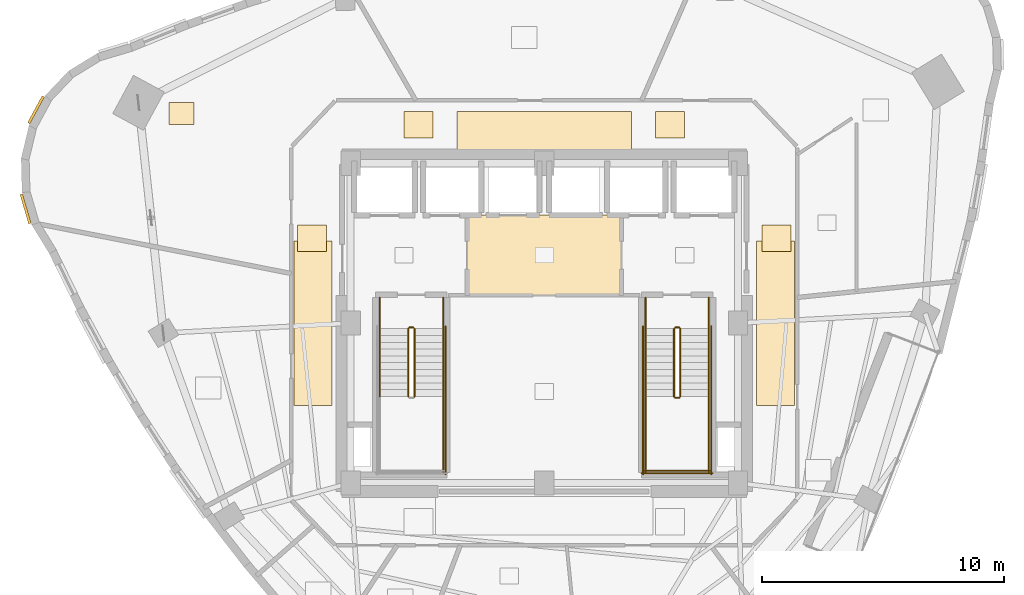
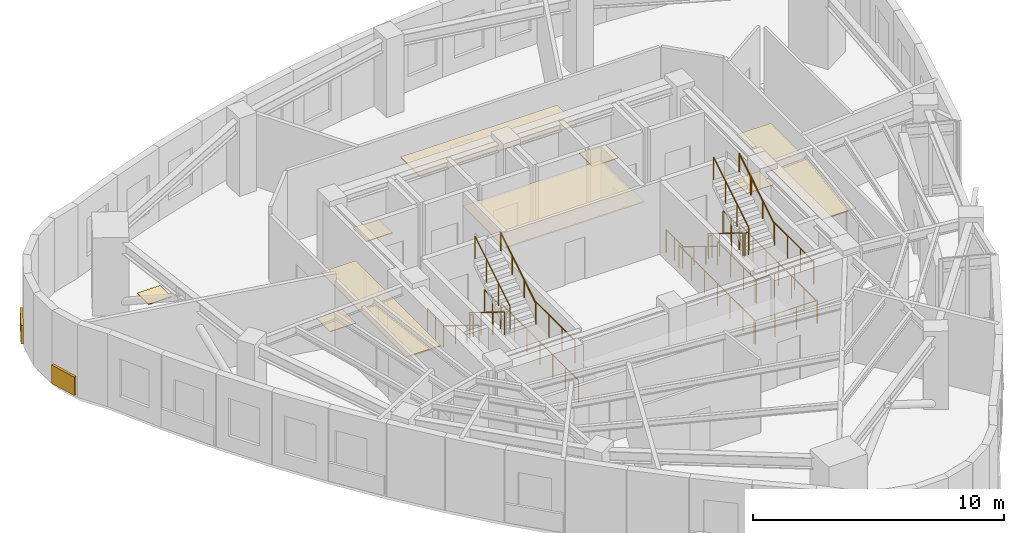
# One storey, part 9 of 10: 23 railings, 11 coverings.
"""IFC4 building model written with IfcOpenShell, lengths in metres."""

from ifc_helpers import new_model, si_unit, direction, frame, origin, origin_2d, place, context, subcontext, project, spatial, rectangle, circle, extrude, material, layer, layer_set, type_object, element, save


model = new_model("IFC4")

# Units and contexts
model_context = context("Model", 3, precision=1e-05, world=origin(), true_north=direction((0.0, 1.0)))
body_context = subcontext(model_context, "Body", "Model", "MODEL_VIEW")
ifc_project = project(units=[si_unit("LENGTHUNIT", "METRE"), si_unit("AREAUNIT", "SQUARE_METRE"), si_unit("VOLUMEUNIT", "CUBIC_METRE"), si_unit("PLANEANGLEUNIT", "RADIAN"), si_unit("MASSUNIT", "GRAM", prefix="KILO")], contexts=[model_context])

# Site, building, storey
site_placement = place(None, origin())
site = spatial("IfcSite", under=ifc_project, at=site_placement, CompositionType="ELEMENT")
building_placement = place(site_placement, origin())
building = spatial("IfcBuilding", under=site, at=building_placement, Name="Ndelora Gate Hotel", CompositionType="ELEMENT")
storey_placement = place(building_placement, frame((0.0, 0.0, 243.550048828125)))
storey = spatial("IfcBuildingStorey", under=building, at=storey_placement, Name="L61", CompositionType="ELEMENT", Elevation=243.550048828125)

# Coverings
ifc_material_1 = material(Name="Perforated Acoustic Gypsum Board", Category="gypsum")
ifc_layer_1 = layer(ifc_material_1, 0.054931640625)
ifc_layer_set_1 = layer_set([ifc_layer_1], Name="Perforated Acoustic Gypsum Board")
covering_type_1 = type_object("IfcCoveringType", Name="COV-CEIL-AC60", PredefinedType="CEILING", material=ifc_layer_set_1)
covering_1_placement = place(storey_placement, frame((0.0, 2.800048828125, 2.72265625), z_axis=(0.0, 0.0, 1.0), x_axis=(1.0, 0.0, 0.0)))
element("IfcCovering", 1, at=covering_1_placement, inside=storey, type_object=covering_type_1, Name="L61 Lift Lobby Acoustic Ceiling", PredefinedType="CEILING", context=body_context, shape_type="SweptSolid", body=[
    extrude(rectangle(XDim=6.39990234375, YDim=3.340087890625, at=origin_2d()), origin(), (0.0, 0.0, 1.0), 0.054931640625),
])
covering_2_placement = place(storey_placement, frame((0.0, 7.9599609375, 2.65234375), z_axis=(0.0, 0.0, 1.0), x_axis=(1.0, 0.0, 0.0)))
element("IfcCovering", 2, at=covering_2_placement, inside=storey, type_object=covering_type_1, Name="L61 Guest Corridor Acoustic Ceiling N", PredefinedType="CEILING", context=body_context, shape_type="SweptSolid", body=[
    extrude(rectangle(XDim=7.199951171875, YDim=1.580078125, at=origin_2d()), origin(), (0.0, 0.0, 1.0), 0.054931640625),
])
for number, where, z_axis, x_axis, name in (
    (3, (-9.550048828125, 0.0, 2.65234375), (0.0, 0.0, 1.0), (1.0, 0.0, 0.0), "L61 Guest Corridor Acoustic Ceiling W"),
    (4, (9.550048828125, 0.0, 2.65234375), (0.0, 0.0, 1.0), (1.0, 0.0, 0.0), "L61 Guest Corridor Acoustic Ceiling E"),
):
    element("IfcCovering", number, at=place(storey_placement, frame(where, z_axis=z_axis, x_axis=x_axis)), inside=storey, type_object=covering_type_1, Name=name, PredefinedType="CEILING", context=body_context, shape_type="SweptSolid", body=[
        extrude(rectangle(XDim=1.580078125, YDim=6.800048828125, at=origin_2d()), origin(), (0.0, 0.0, 1.0), 0.054931640625),
    ])
ifc_material_2 = material(Name="Terracotta Fired Clay Brick Slip Cladding", Category="masonry")
ifc_layer_2 = layer(ifc_material_2, 0.110107421875)
ifc_layer_set_2 = layer_set([ifc_layer_2], Name="Terracotta Fired Clay Brick Slip Cladding")
covering_type_2 = type_object("IfcCoveringType", Name="COV-CLAD-BRK", PredefinedType="CLADDING", material=ifc_layer_set_2)
covering_3_placement = place(storey_placement, frame((-20.993408203125, 8.81005859375, 0.10009765625), z_axis=(0.0, 0.0, 1.0), x_axis=(0.47715876026, 0.878817112662, 0.0)))
element("IfcCovering", 5, at=covering_3_placement, inside=storey, type_object=covering_type_2, Name="L61 Rounded-Corner Brick Cladding Band 4", PredefinedType="CLADDING", context=body_context, shape_type="SweptSolid", body=[
    extrude(rectangle(XDim=1.257080078125, YDim=0.110107421875, at=origin_2d()), origin(), (0.0, 0.0, 1.0), 0.89990234375),
])
covering_4_placement = place(storey_placement, frame((-21.42333984375, 4.719482421875, 0.10009765625), z_axis=(0.0, 0.0, 1.0), x_axis=(-0.284015344704, 0.958819734868, 0.0)))
element("IfcCovering", 6, at=covering_4_placement, inside=storey, type_object=covering_type_2, Name="L61 Rounded-Corner Brick Cladding Band 7", PredefinedType="CLADDING", context=body_context, shape_type="SweptSolid", body=[
    extrude(rectangle(XDim=1.258056640625, YDim=0.110107421875, at=origin_2d()), origin(), (0.0, 0.0, 1.0), 0.89990234375),
])
ifc_material_3 = material(Name="Engineered Highland Oak Parquet", Category="wood")
ifc_layer_3 = layer(ifc_material_3, 0.030029296875)
ifc_layer_set_3 = layer_set([ifc_layer_3], Name="Engineered Highland Oak Parquet")
covering_type_3 = type_object("IfcCoveringType", Name="COV-FLR-PARQ", PredefinedType="FLOORING", material=ifc_layer_set_3)
covering_5_placement = place(storey_placement, frame((-14.984375, 8.6611328125, 0.0), z_axis=(0.0, 0.0, 1.0), x_axis=(1.0, 0.0, 0.0)))
element("IfcCovering", 7, at=covering_5_placement, inside=storey, type_object=covering_type_3, Name="L61 State Banquet Dining Room Oak Parquet Flooring", PredefinedType="FLOORING", context=body_context, shape_type="SweptSolid", body=[
    extrude(rectangle(XDim=1.050048828125, YDim=0.89990234375, at=origin_2d()), origin(), (0.0, 0.0, 1.0), 0.030029296875),
])
ifc_material_4 = material(Name="Polished Highland Stone Terrazzo", Category="masonry")
ifc_layer_4 = layer(ifc_material_4, 0.034912109375)
ifc_layer_set_4 = layer_set([ifc_layer_4], Name="Polished Highland Stone Terrazzo")
covering_type_4 = type_object("IfcCoveringType", Name="COV-FLR-TERZ", PredefinedType="FLOORING", material=ifc_layer_set_4)
for number, where, z_axis, x_axis, name in (
    (8, (-5.199951171875, 8.199951171875, 0.0), (0.0, 0.0, 1.0), (1.0, 0.0, 0.0), "L61 Corridor Threshold Terrazzo Inlay NW"),
    (9, (5.199951171875, 8.199951171875, 0.0), (0.0, 0.0, 1.0), (1.0, 0.0, 0.0), "L61 Corridor Threshold Terrazzo Inlay NE"),
    (10, (-9.60009765625, 3.5, 0.0), (0.0, 0.0, 1.0), (1.0, 0.0, 0.0), "L61 Corridor Threshold Terrazzo Inlay W"),
    (11, (9.60009765625, 3.5, 0.0), (0.0, 0.0, 1.0), (1.0, 0.0, 0.0), "L61 Corridor Threshold Terrazzo Inlay E"),
):
    element("IfcCovering", number, at=place(storey_placement, frame(where, z_axis=z_axis, x_axis=x_axis)), inside=storey, type_object=covering_type_4, Name=name, PredefinedType="FLOORING", context=body_context, shape_type="SweptSolid", body=[
        extrude(rectangle(XDim=1.199951171875, YDim=1.10009765625, at=origin_2d()), origin(), (0.0, 0.0, 1.0), 0.034912109375),
    ])

# Railings
ifc_material_5 = material(Name="Painted Galvanized Steel Balustrade", Category="steel")
ifc_layer_5 = layer(ifc_material_5, 0.06005859375)
ifc_layer_set_5 = layer_set([ifc_layer_5], Name="Painted Galvanized Steel Balustrade")
railing_type_1 = type_object("IfcRailingType", Name="RL-STAIR-GD", PredefinedType="GUARDRAIL", material=ifc_layer_set_5)
railing_1_placement = place(storey_placement, frame((-5.6201171875, -0.22998046875, 0.172607421875)))
element("IfcRailing", 12, at=railing_1_placement, inside=storey, type_object=railing_type_1, Name="L61 ST4 stair guard 1", PredefinedType="GUARDRAIL", context=body_context, shape_type="SweptSolid", body=[
    extrude(circle(Radius=0.02392578125, at=origin_2d()), frame((0.0, 0.0, 1.10595703125), z_axis=(0.0, -0.851089632645, 0.525020415988), x_axis=(1.0, 0.0, 0.0)), (0.0, 0.0, 1.0), 3.2900390625),
    extrude(circle(Radius=0.02099609375, at=origin_2d()), origin(), (0.0, 0.0, 1.0), 1.081787109375),
    extrude(circle(Radius=0.02099609375, at=origin_2d()), frame((0.0, -0.933349609375, 0.57568359375)), (0.0, 0.0, 1.0), 1.081787109375),
    extrude(circle(Radius=0.02099609375, at=origin_2d()), frame((0.0, -1.86669921875, 1.151611328125)), (0.0, 0.0, 1.0), 1.081787109375),
    extrude(circle(Radius=0.02099609375, at=origin_2d()), frame((0.0, -2.800048828125, 1.727294921875)), (0.0, 0.0, 1.0), 1.081787109375),
])
railing_2_placement = place(storey_placement, frame((-4.179931640625, -3.030029296875, 1.89990234375)))
element("IfcRailing", 13, at=railing_2_placement, inside=storey, type_object=railing_type_1, Name="L61 ST4 stair guard 4", PredefinedType="GUARDRAIL", context=body_context, shape_type="SweptSolid", body=[
    extrude(circle(Radius=0.02392578125, at=origin_2d()), frame((0.0, 0.0, 1.10595703125), z_axis=(0.0, -1.0, 0.0), x_axis=(1.0, 0.0, 0.0)), (0.0, 0.0, 1.0), 3.119873046875),
    extrude(circle(Radius=0.02099609375, at=origin_2d()), origin(), (0.0, 0.0, 1.0), 1.081787109375),
    extrude(circle(Radius=0.02099609375, at=origin_2d()), frame((0.0, -1.0400390625, 0.0)), (0.0, 0.0, 1.0), 1.081787109375),
    extrude(circle(Radius=0.02099609375, at=origin_2d()), frame((0.0, -2.079833984375, 0.0)), (0.0, 0.0, 1.0), 1.081787109375),
    extrude(circle(Radius=0.02099609375, at=origin_2d()), frame((0.0, -3.119873046875, 0.0)), (0.0, 0.0, 1.0), 1.081787109375),
])
railing_3_placement = place(storey_placement, frame((-5.360107421875, -3.030029296875, 2.07275390625)))
element("IfcRailing", 14, at=railing_3_placement, inside=storey, type_object=railing_type_1, Name="L61 ST4 stair guard 6", PredefinedType="GUARDRAIL", context=body_context, shape_type="SweptSolid", body=[
    extrude(circle(Radius=0.02392578125, at=origin_2d()), frame((0.0, 0.0, 1.10595703125), z_axis=(0.0, 0.851089632645, 0.525020415988), x_axis=(-1.0, 0.0, 0.0)), (0.0, 0.0, 1.0), 3.2900390625),
    extrude(circle(Radius=0.02099609375, at=origin_2d()), origin(), (0.0, 0.0, 1.0), 1.081787109375),
    extrude(circle(Radius=0.02099609375, at=origin_2d()), frame((0.0, 0.933349609375, 0.57568359375)), (0.0, 0.0, 1.0), 1.081787109375),
    extrude(circle(Radius=0.02099609375, at=origin_2d()), frame((0.0, 1.86669921875, 1.151611328125)), (0.0, 0.0, 1.0), 1.081787109375),
    extrude(circle(Radius=0.02099609375, at=origin_2d()), frame((0.0, 2.800048828125, 1.727294921875)), (0.0, 0.0, 1.0), 1.081787109375),
])
railing_4_placement = place(storey_placement, frame((-5.570068359375, -0.179931640625, 0.0)))
element("IfcRailing", 15, at=railing_4_placement, inside=storey, type_object=railing_type_1, Name="L61 ST4 stair guard 7", PredefinedType="GUARDRAIL", context=body_context, shape_type="SweptSolid", body=[
    extrude(circle(Radius=0.02392578125, at=origin_2d()), frame((0.0, 0.0, 1.10595703125), z_axis=(1.0, 0.0, 0.0), x_axis=(0.0, 1.0, 0.0)), (0.0, 0.0, 1.0), 0.16015625),
    extrude(circle(Radius=0.02099609375, at=origin_2d()), origin(), (0.0, 0.0, 1.0), 1.081787109375),
    extrude(circle(Radius=0.02099609375, at=origin_2d()), frame((0.16015625, 0.0, 0.0)), (0.0, 0.0, 1.0), 1.081787109375),
])
for number, where, name in (
    (16, (-6.800048828125, 1.050048828125, 0.0), "L61 ST4 stair guard 8"),
    (17, (-4.179931640625, 1.050048828125, 0.0), "L61 ST4 stair guard 9"),
):
    element("IfcRailing", number, at=place(storey_placement, frame(where)), inside=storey, type_object=railing_type_1, Name=name, PredefinedType="GUARDRAIL", context=body_context, shape_type="SweptSolid", body=[
        extrude(circle(Radius=0.02392578125, at=origin_2d()), frame((0.0, 0.0, 1.10595703125), z_axis=(0.0, -1.0, 0.0), x_axis=(1.0, 0.0, 0.0)), (0.0, 0.0, 1.0), 1.280029296875),
        extrude(circle(Radius=0.02099609375, at=origin_2d()), origin(), (0.0, 0.0, 1.0), 1.081787109375),
        extrude(circle(Radius=0.02099609375, at=origin_2d()), frame((0.0, -0.64013671875, 0.0)), (0.0, 0.0, 1.0), 1.081787109375),
        extrude(circle(Radius=0.02099609375, at=origin_2d()), frame((0.0, -1.280029296875, 0.0)), (0.0, 0.0, 1.0), 1.081787109375),
    ])
railing_5_placement = place(storey_placement, frame((-4.080078125, -0.1298828125, 0.0)))
element("IfcRailing", 18, at=railing_5_placement, inside=storey, type_object=railing_type_1, Name="L61 ST4 stair guard 11", PredefinedType="GUARDRAIL", context=body_context, shape_type="SweptSolid", body=[
    extrude(circle(Radius=0.02392578125, at=origin_2d()), frame((0.0, 0.0, 1.10595703125), z_axis=(0.0, -1.0, 0.0), x_axis=(1.0, 0.0, 0.0)), (0.0, 0.0, 1.0), 6.1201171875),
    extrude(circle(Radius=0.02099609375, at=origin_2d()), origin(), (0.0, 0.0, 1.0), 1.081787109375),
    extrude(circle(Radius=0.02099609375, at=origin_2d()), frame((0.0, -1.02001953125, 0.0)), (0.0, 0.0, 1.0), 1.081787109375),
    extrude(circle(Radius=0.02099609375, at=origin_2d()), frame((0.0, -2.0400390625, 0.0)), (0.0, 0.0, 1.0), 1.081787109375),
    extrude(circle(Radius=0.02099609375, at=origin_2d()), frame((0.0, -3.06005859375, 0.0)), (0.0, 0.0, 1.0), 1.081787109375),
    extrude(circle(Radius=0.02099609375, at=origin_2d()), frame((0.0, -4.080078125, 0.0)), (0.0, 0.0, 1.0), 1.081787109375),
    extrude(circle(Radius=0.02099609375, at=origin_2d()), frame((0.0, -5.10009765625, 0.0)), (0.0, 0.0, 1.0), 1.081787109375),
    extrude(circle(Radius=0.02099609375, at=origin_2d()), frame((0.0, -6.1201171875, 0.0)), (0.0, 0.0, 1.0), 1.081787109375),
])
railing_6_placement = place(storey_placement, frame((5.360107421875, -0.22998046875, 0.172607421875)))
element("IfcRailing", 19, at=railing_6_placement, inside=storey, type_object=railing_type_1, Name="L61 ST5 stair guard 1", PredefinedType="GUARDRAIL", context=body_context, shape_type="SweptSolid", body=[
    extrude(circle(Radius=0.02392578125, at=origin_2d()), frame((0.0, 0.0, 1.10595703125), z_axis=(0.0, -0.851089632645, 0.525020415988), x_axis=(1.0, 0.0, 0.0)), (0.0, 0.0, 1.0), 3.2900390625),
    extrude(circle(Radius=0.02099609375, at=origin_2d()), origin(), (0.0, 0.0, 1.0), 1.081787109375),
    extrude(circle(Radius=0.02099609375, at=origin_2d()), frame((0.0, -0.933349609375, 0.57568359375)), (0.0, 0.0, 1.0), 1.081787109375),
    extrude(circle(Radius=0.02099609375, at=origin_2d()), frame((0.0, -1.86669921875, 1.151611328125)), (0.0, 0.0, 1.0), 1.081787109375),
    extrude(circle(Radius=0.02099609375, at=origin_2d()), frame((0.0, -2.800048828125, 1.727294921875)), (0.0, 0.0, 1.0), 1.081787109375),
])
railing_7_placement = place(storey_placement, frame((5.409912109375, -3.080078125, 1.89990234375)))
element("IfcRailing", 20, at=railing_7_placement, inside=storey, type_object=railing_type_1, Name="L61 ST5 stair guard 2", PredefinedType="GUARDRAIL", context=body_context, shape_type="SweptSolid", body=[
    extrude(circle(Radius=0.02392578125, at=origin_2d()), frame((0.0, 0.0, 1.10595703125), z_axis=(1.0, 0.0, 0.0), x_axis=(0.0, 1.0, 0.0)), (0.0, 0.0, 1.0), 0.16015625),
    extrude(circle(Radius=0.02099609375, at=origin_2d()), origin(), (0.0, 0.0, 1.0), 1.081787109375),
    extrude(circle(Radius=0.02099609375, at=origin_2d()), frame((0.16015625, 0.0, 0.0)), (0.0, 0.0, 1.0), 1.081787109375),
])
for number, where, name in (
    (21, (4.179931640625, -3.030029296875, 1.89990234375), "L61 ST5 stair guard 3"),
    (22, (6.800048828125, -3.030029296875, 1.89990234375), "L61 ST5 stair guard 4"),
):
    element("IfcRailing", number, at=place(storey_placement, frame(where)), inside=storey, type_object=railing_type_1, Name=name, PredefinedType="GUARDRAIL", context=body_context, shape_type="SweptSolid", body=[
        extrude(circle(Radius=0.02392578125, at=origin_2d()), frame((0.0, 0.0, 1.10595703125), z_axis=(0.0, -1.0, 0.0), x_axis=(1.0, 0.0, 0.0)), (0.0, 0.0, 1.0), 3.119873046875),
        extrude(circle(Radius=0.02099609375, at=origin_2d()), origin(), (0.0, 0.0, 1.0), 1.081787109375),
        extrude(circle(Radius=0.02099609375, at=origin_2d()), frame((0.0, -1.0400390625, 0.0)), (0.0, 0.0, 1.0), 1.081787109375),
        extrude(circle(Radius=0.02099609375, at=origin_2d()), frame((0.0, -2.079833984375, 0.0)), (0.0, 0.0, 1.0), 1.081787109375),
        extrude(circle(Radius=0.02099609375, at=origin_2d()), frame((0.0, -3.119873046875, 0.0)), (0.0, 0.0, 1.0), 1.081787109375),
    ])
railing_8_placement = place(storey_placement, frame((4.1298828125, -6.10009765625, 1.89990234375)))
element("IfcRailing", 23, at=railing_8_placement, inside=storey, type_object=railing_type_1, Name="L61 ST5 stair guard 5", PredefinedType="GUARDRAIL", context=body_context, shape_type="SweptSolid", body=[
    extrude(circle(Radius=0.02392578125, at=origin_2d()), frame((0.0, 0.0, 1.10595703125), z_axis=(1.0, 0.0, 0.0), x_axis=(0.0, 1.0, 0.0)), (0.0, 0.0, 1.0), 2.72021484375),
    extrude(circle(Radius=0.02099609375, at=origin_2d()), origin(), (0.0, 0.0, 1.0), 1.081787109375),
    extrude(circle(Radius=0.02099609375, at=origin_2d()), frame((0.90673828125, 0.0, 0.0)), (0.0, 0.0, 1.0), 1.081787109375),
    extrude(circle(Radius=0.02099609375, at=origin_2d()), frame((1.8134765625, 0.0, 0.0)), (0.0, 0.0, 1.0), 1.081787109375),
    extrude(circle(Radius=0.02099609375, at=origin_2d()), frame((2.72021484375, 0.0, 0.0)), (0.0, 0.0, 1.0), 1.081787109375),
])
railing_9_placement = place(storey_placement, frame((5.6201171875, -3.030029296875, 2.07275390625)))
element("IfcRailing", 24, at=railing_9_placement, inside=storey, type_object=railing_type_1, Name="L61 ST5 stair guard 6", PredefinedType="GUARDRAIL", context=body_context, shape_type="SweptSolid", body=[
    extrude(circle(Radius=0.02392578125, at=origin_2d()), frame((0.0, 0.0, 1.10595703125), z_axis=(0.0, 0.851089632645, 0.525020415988), x_axis=(-1.0, 0.0, 0.0)), (0.0, 0.0, 1.0), 3.2900390625),
    extrude(circle(Radius=0.02099609375, at=origin_2d()), origin(), (0.0, 0.0, 1.0), 1.081787109375),
    extrude(circle(Radius=0.02099609375, at=origin_2d()), frame((0.0, 0.933349609375, 0.57568359375)), (0.0, 0.0, 1.0), 1.081787109375),
    extrude(circle(Radius=0.02099609375, at=origin_2d()), frame((0.0, 1.86669921875, 1.151611328125)), (0.0, 0.0, 1.0), 1.081787109375),
    extrude(circle(Radius=0.02099609375, at=origin_2d()), frame((0.0, 2.800048828125, 1.727294921875)), (0.0, 0.0, 1.0), 1.081787109375),
])
railing_10_placement = place(storey_placement, frame((5.409912109375, -0.179931640625, 0.0)))
element("IfcRailing", 25, at=railing_10_placement, inside=storey, type_object=railing_type_1, Name="L61 ST5 stair guard 7", PredefinedType="GUARDRAIL", context=body_context, shape_type="SweptSolid", body=[
    extrude(circle(Radius=0.02392578125, at=origin_2d()), frame((0.0, 0.0, 1.10595703125), z_axis=(1.0, 0.0, 0.0), x_axis=(0.0, 1.0, 0.0)), (0.0, 0.0, 1.0), 0.16015625),
    extrude(circle(Radius=0.02099609375, at=origin_2d()), origin(), (0.0, 0.0, 1.0), 1.081787109375),
    extrude(circle(Radius=0.02099609375, at=origin_2d()), frame((0.16015625, 0.0, 0.0)), (0.0, 0.0, 1.0), 1.081787109375),
])
for number, where, name in (
    (26, (4.179931640625, 1.050048828125, 0.0), "L61 ST5 stair guard 8"),
    (27, (6.800048828125, 1.050048828125, 0.0), "L61 ST5 stair guard 9"),
):
    element("IfcRailing", number, at=place(storey_placement, frame(where)), inside=storey, type_object=railing_type_1, Name=name, PredefinedType="GUARDRAIL", context=body_context, shape_type="SweptSolid", body=[
        extrude(circle(Radius=0.02392578125, at=origin_2d()), frame((0.0, 0.0, 1.10595703125), z_axis=(0.0, -1.0, 0.0), x_axis=(1.0, 0.0, 0.0)), (0.0, 0.0, 1.0), 1.280029296875),
        extrude(circle(Radius=0.02099609375, at=origin_2d()), origin(), (0.0, 0.0, 1.0), 1.081787109375),
        extrude(circle(Radius=0.02099609375, at=origin_2d()), frame((0.0, -0.64013671875, 0.0)), (0.0, 0.0, 1.0), 1.081787109375),
        extrude(circle(Radius=0.02099609375, at=origin_2d()), frame((0.0, -1.280029296875, 0.0)), (0.0, 0.0, 1.0), 1.081787109375),
    ])
for number, where, name in (
    (28, (4.080078125, -0.1298828125, 0.0), "L61 ST5 stair guard 10"),
    (29, (6.89990234375, -0.1298828125, 0.0), "L61 ST5 stair guard 11"),
):
    element("IfcRailing", number, at=place(storey_placement, frame(where)), inside=storey, type_object=railing_type_1, Name=name, PredefinedType="GUARDRAIL", context=body_context, shape_type="SweptSolid", body=[
        extrude(circle(Radius=0.02392578125, at=origin_2d()), frame((0.0, 0.0, 1.10595703125), z_axis=(0.0, -1.0, 0.0), x_axis=(1.0, 0.0, 0.0)), (0.0, 0.0, 1.0), 6.1201171875),
        extrude(circle(Radius=0.02099609375, at=origin_2d()), origin(), (0.0, 0.0, 1.0), 1.081787109375),
        extrude(circle(Radius=0.02099609375, at=origin_2d()), frame((0.0, -1.02001953125, 0.0)), (0.0, 0.0, 1.0), 1.081787109375),
        extrude(circle(Radius=0.02099609375, at=origin_2d()), frame((0.0, -2.0400390625, 0.0)), (0.0, 0.0, 1.0), 1.081787109375),
        extrude(circle(Radius=0.02099609375, at=origin_2d()), frame((0.0, -3.06005859375, 0.0)), (0.0, 0.0, 1.0), 1.081787109375),
        extrude(circle(Radius=0.02099609375, at=origin_2d()), frame((0.0, -4.080078125, 0.0)), (0.0, 0.0, 1.0), 1.081787109375),
        extrude(circle(Radius=0.02099609375, at=origin_2d()), frame((0.0, -5.10009765625, 0.0)), (0.0, 0.0, 1.0), 1.081787109375),
        extrude(circle(Radius=0.02099609375, at=origin_2d()), frame((0.0, -6.1201171875, 0.0)), (0.0, 0.0, 1.0), 1.081787109375),
    ])
railing_11_placement = place(storey_placement, frame((4.030029296875, -6.199951171875, 0.0)))
element("IfcRailing", 30, at=railing_11_placement, inside=storey, type_object=railing_type_1, Name="L61 ST5 stair guard 12", PredefinedType="GUARDRAIL", context=body_context, shape_type="SweptSolid", body=[
    extrude(circle(Radius=0.02392578125, at=origin_2d()), frame((0.0, 0.0, 1.10595703125), z_axis=(1.0, 0.0, 0.0), x_axis=(0.0, 1.0, 0.0)), (0.0, 0.0, 1.0), 2.919921875),
    extrude(circle(Radius=0.02099609375, at=origin_2d()), origin(), (0.0, 0.0, 1.0), 1.081787109375),
    extrude(circle(Radius=0.02099609375, at=origin_2d()), frame((0.973388671875, 0.0, 0.0)), (0.0, 0.0, 1.0), 1.081787109375),
    extrude(circle(Radius=0.02099609375, at=origin_2d()), frame((1.946533203125, 0.0, 0.0)), (0.0, 0.0, 1.0), 1.081787109375),
    extrude(circle(Radius=0.02099609375, at=origin_2d()), frame((2.919921875, 0.0, 0.0)), (0.0, 0.0, 1.0), 1.081787109375),
])
ifc_material_6 = material(Name="Brushed Stainless Steel 316", Category="steel")
ifc_layer_6 = layer(ifc_material_6, 0.050048828125)
ifc_layer_set_6 = layer_set([ifc_layer_6], Name="Brushed Stainless Steel 316")
railing_type_2 = type_object("IfcRailingType", Name="RL-STAIR-HR", PredefinedType="HANDRAIL", material=ifc_layer_set_6)
railing_12_placement = place(storey_placement, frame((-6.800048828125, -0.22998046875, 0.172607421875)))
element("IfcRailing", 31, at=railing_12_placement, inside=storey, type_object=railing_type_2, Name="L61 ST4 stair handrail 1", PredefinedType="HANDRAIL", context=body_context, shape_type="SweptSolid", body=[
    extrude(circle(Radius=0.02392578125, at=origin_2d()), frame((0.0, 0.0, 0.8759765625), z_axis=(0.0, -0.851089632645, 0.525020415988), x_axis=(1.0, 0.0, 0.0)), (0.0, 0.0, 1.0), 3.2900390625),
    extrude(circle(Radius=0.02099609375, at=origin_2d()), origin(), (0.0, 0.0, 1.0), 0.851806640625),
    extrude(circle(Radius=0.02099609375, at=origin_2d()), frame((0.0, -0.933349609375, 0.57568359375)), (0.0, 0.0, 1.0), 0.851806640625),
    extrude(circle(Radius=0.02099609375, at=origin_2d()), frame((0.0, -1.86669921875, 1.151611328125)), (0.0, 0.0, 1.0), 0.851806640625),
    extrude(circle(Radius=0.02099609375, at=origin_2d()), frame((0.0, -2.800048828125, 1.727294921875)), (0.0, 0.0, 1.0), 0.851806640625),
])
railing_13_placement = place(storey_placement, frame((-4.179931640625, -3.030029296875, 2.07275390625)))
element("IfcRailing", 32, at=railing_13_placement, inside=storey, type_object=railing_type_2, Name="L61 ST4 stair handrail 2", PredefinedType="HANDRAIL", context=body_context, shape_type="SweptSolid", body=[
    extrude(circle(Radius=0.02392578125, at=origin_2d()), frame((0.0, 0.0, 0.8759765625), z_axis=(0.0, 0.851089632645, 0.525020415988), x_axis=(-1.0, 0.0, 0.0)), (0.0, 0.0, 1.0), 3.2900390625),
    extrude(circle(Radius=0.02099609375, at=origin_2d()), origin(), (0.0, 0.0, 1.0), 0.851806640625),
    extrude(circle(Radius=0.02099609375, at=origin_2d()), frame((0.0, 0.933349609375, 0.57568359375)), (0.0, 0.0, 1.0), 0.851806640625),
    extrude(circle(Radius=0.02099609375, at=origin_2d()), frame((0.0, 1.86669921875, 1.151611328125)), (0.0, 0.0, 1.0), 0.851806640625),
    extrude(circle(Radius=0.02099609375, at=origin_2d()), frame((0.0, 2.800048828125, 1.727294921875)), (0.0, 0.0, 1.0), 0.851806640625),
])
railing_14_placement = place(storey_placement, frame((4.179931640625, -0.22998046875, 0.172607421875)))
element("IfcRailing", 33, at=railing_14_placement, inside=storey, type_object=railing_type_2, Name="L61 ST5 stair handrail 1", PredefinedType="HANDRAIL", context=body_context, shape_type="SweptSolid", body=[
    extrude(circle(Radius=0.02392578125, at=origin_2d()), frame((0.0, 0.0, 0.8759765625), z_axis=(0.0, -0.851089632645, 0.525020415988), x_axis=(1.0, 0.0, 0.0)), (0.0, 0.0, 1.0), 3.2900390625),
    extrude(circle(Radius=0.02099609375, at=origin_2d()), origin(), (0.0, 0.0, 1.0), 0.851806640625),
    extrude(circle(Radius=0.02099609375, at=origin_2d()), frame((0.0, -0.933349609375, 0.57568359375)), (0.0, 0.0, 1.0), 0.851806640625),
    extrude(circle(Radius=0.02099609375, at=origin_2d()), frame((0.0, -1.86669921875, 1.151611328125)), (0.0, 0.0, 1.0), 0.851806640625),
    extrude(circle(Radius=0.02099609375, at=origin_2d()), frame((0.0, -2.800048828125, 1.727294921875)), (0.0, 0.0, 1.0), 0.851806640625),
])
railing_15_placement = place(storey_placement, frame((6.800048828125, -3.030029296875, 2.07275390625)))
element("IfcRailing", 34, at=railing_15_placement, inside=storey, type_object=railing_type_2, Name="L61 ST5 stair handrail 2", PredefinedType="HANDRAIL", context=body_context, shape_type="SweptSolid", body=[
    extrude(circle(Radius=0.02392578125, at=origin_2d()), frame((0.0, 0.0, 0.8759765625), z_axis=(0.0, 0.851089632645, 0.525020415988), x_axis=(-1.0, 0.0, 0.0)), (0.0, 0.0, 1.0), 3.2900390625),
    extrude(circle(Radius=0.02099609375, at=origin_2d()), origin(), (0.0, 0.0, 1.0), 0.851806640625),
    extrude(circle(Radius=0.02099609375, at=origin_2d()), frame((0.0, 0.933349609375, 0.57568359375)), (0.0, 0.0, 1.0), 0.851806640625),
    extrude(circle(Radius=0.02099609375, at=origin_2d()), frame((0.0, 1.86669921875, 1.151611328125)), (0.0, 0.0, 1.0), 0.851806640625),
    extrude(circle(Radius=0.02099609375, at=origin_2d()), frame((0.0, 2.800048828125, 1.727294921875)), (0.0, 0.0, 1.0), 0.851806640625),
])

save(model, "model.ifc")
